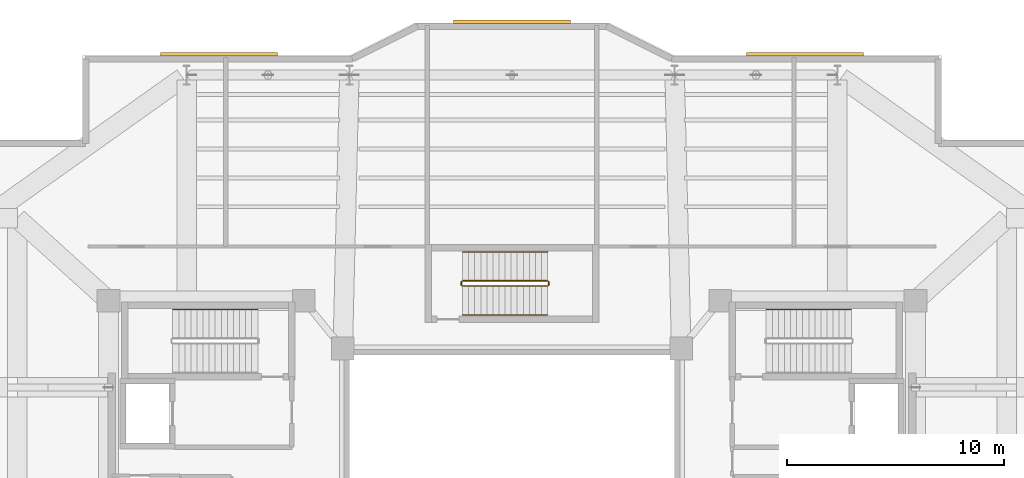
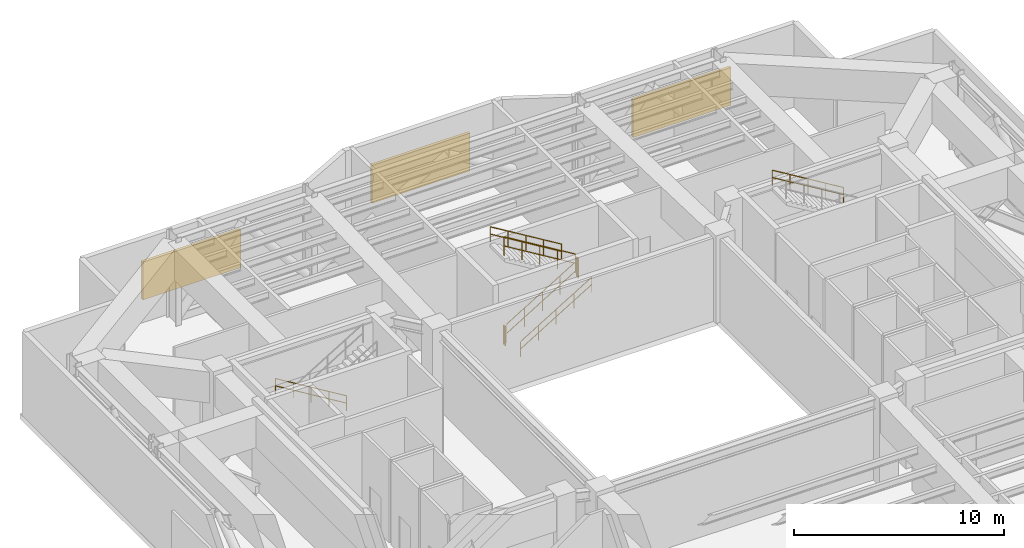
# One storey, part 13 of 13: 8 railings, 3 shading devices.
"""IFC4 building model written with IfcOpenShell, lengths in metres."""

from ifc_helpers import new_model, si_unit, direction, frame, origin, origin_2d, place, context, subcontext, project, spatial, rectangle, circle, extrude, material, layer, layer_set, type_object, element, save


model = new_model("IFC4")

# Units and contexts
model_context = context("Model", 3, precision=1e-05, world=origin(), true_north=direction((0.0, 1.0)))
body_context = subcontext(model_context, "Body", "Model", "MODEL_VIEW")
ifc_project = project(units=[si_unit("LENGTHUNIT", "METRE"), si_unit("AREAUNIT", "SQUARE_METRE"), si_unit("VOLUMEUNIT", "CUBIC_METRE"), si_unit("PLANEANGLEUNIT", "RADIAN"), si_unit("MASSUNIT", "GRAM", prefix="KILO")], contexts=[model_context])

# Site, building, storey
site_placement = place(None, origin())
site = spatial("IfcSite", under=ifc_project, at=site_placement, CompositionType="ELEMENT")
building_placement = place(site_placement, origin())
building = spatial("IfcBuilding", under=site, at=building_placement, Name="Tarnavaz Court Tower", CompositionType="ELEMENT")
storey_placement = place(building_placement, frame((0.0, 0.0, 181.800048828125)))
storey = spatial("IfcBuildingStorey", under=building, at=storey_placement, Name="L49", CompositionType="ELEMENT", Elevation=181.800048828125)

# Railings
ifc_material_1 = material(Name="Brushed Stainless Steel", Category="steel")
railing_type_1 = type_object("IfcRailingType", Name="RL-HANDRAIL-900", PredefinedType="HANDRAIL", material=ifc_material_1)
railing_1_placement = place(storey_placement, frame((-11.719970703125, 9.590087890625, 0.169921875)))
element("IfcRailing", 1, at=railing_1_placement, inside=storey, type_object=railing_type_1, Name="L49 ST-W1 stair handrail 1", PredefinedType="HANDRAIL", context=body_context, shape_type="SweptSolid", body=[
    extrude(circle(Radius=0.02392578125, at=origin_2d()), frame((0.0, 0.0, 0.8759765625), z_axis=(-0.854770645689, 0.0, 0.519005918337), x_axis=(0.0, -1.0, 0.0)), (0.0, 0.0, 1.0), 4.5859375),
    extrude(circle(Radius=0.02392578125, at=origin_2d()), frame((0.0, 0.0, 0.449951171875), z_axis=(-0.854770645689, 0.0, 0.519005918337), x_axis=(0.0, -1.0, 0.0)), (0.0, 0.0, 1.0), 4.5859375),
    extrude(circle(Radius=0.02099609375, at=origin_2d()), origin(), (0.0, 0.0, 1.0), 0.851806640625),
    extrude(circle(Radius=0.02099609375, at=origin_2d()), frame((-0.97998046875, 0.0, 0.594970703125)), (0.0, 0.0, 1.0), 0.851806640625),
    extrude(circle(Radius=0.02099609375, at=origin_2d()), frame((-1.9599609375, 0.0, 1.18994140625)), (0.0, 0.0, 1.0), 0.851806640625),
    extrude(circle(Radius=0.02099609375, at=origin_2d()), frame((-2.93994140625, 0.0, 1.78515625)), (0.0, 0.0, 1.0), 0.851806640625),
    extrude(circle(Radius=0.02099609375, at=origin_2d()), frame((-3.919921875, 0.0, 2.380126953125)), (0.0, 0.0, 1.0), 0.851806640625),
])
railing_2_placement = place(storey_placement, frame((15.639892578125, 9.590087890625, 2.719970703125)))
element("IfcRailing", 2, at=railing_2_placement, inside=storey, type_object=railing_type_1, Name="L49 ST-E1 stair handrail 2", PredefinedType="HANDRAIL", context=body_context, shape_type="SweptSolid", body=[
    extrude(circle(Radius=0.02392578125, at=origin_2d()), frame((0.0, 0.0, 0.8759765625), z_axis=(-0.854794262968, 0.0, 0.518967020143), x_axis=(0.0, -1.0, 0.0)), (0.0, 0.0, 1.0), 4.585693359375),
    extrude(circle(Radius=0.02392578125, at=origin_2d()), frame((0.0, 0.0, 0.449951171875), z_axis=(-0.854794262968, 0.0, 0.518967020143), x_axis=(0.0, -1.0, 0.0)), (0.0, 0.0, 1.0), 4.585693359375),
    extrude(circle(Radius=0.02099609375, at=origin_2d()), origin(), (0.0, 0.0, 1.0), 0.851806640625),
    extrude(circle(Radius=0.02099609375, at=origin_2d()), frame((-0.97998046875, 0.0, 0.594970703125)), (0.0, 0.0, 1.0), 0.851806640625),
    extrude(circle(Radius=0.02099609375, at=origin_2d()), frame((-1.9599609375, 0.0, 1.18994140625)), (0.0, 0.0, 1.0), 0.851806640625),
    extrude(circle(Radius=0.02099609375, at=origin_2d()), frame((-2.93994140625, 0.0, 1.784912109375)), (0.0, 0.0, 1.0), 0.851806640625),
    extrude(circle(Radius=0.02099609375, at=origin_2d()), frame((-3.919921875, 0.0, 2.3798828125)), (0.0, 0.0, 1.0), 0.851806640625),
])
railing_3_placement = place(storey_placement, frame((-2.280029296875, 9.35009765625, 0.169921875)))
element("IfcRailing", 3, at=railing_3_placement, inside=storey, type_object=railing_type_1, Name="L49 ST-N1 stair handrail 1", PredefinedType="HANDRAIL", context=body_context, shape_type="SweptSolid", body=[
    extrude(circle(Radius=0.02392578125, at=origin_2d()), frame((0.0, 0.0, 0.8759765625), z_axis=(0.854770645689, 0.0, 0.519005918337), x_axis=(0.0, 1.0, 0.0)), (0.0, 0.0, 1.0), 4.5859375),
    extrude(circle(Radius=0.02392578125, at=origin_2d()), frame((0.0, 0.0, 0.449951171875), z_axis=(0.854770645689, 0.0, 0.519005918337), x_axis=(0.0, 1.0, 0.0)), (0.0, 0.0, 1.0), 4.5859375),
    extrude(circle(Radius=0.02099609375, at=origin_2d()), origin(), (0.0, 0.0, 1.0), 0.851806640625),
    extrude(circle(Radius=0.02099609375, at=origin_2d()), frame((0.97998046875, 0.0, 0.594970703125)), (0.0, 0.0, 1.0), 0.851806640625),
    extrude(circle(Radius=0.02099609375, at=origin_2d()), frame((1.9599609375, 0.0, 1.18994140625)), (0.0, 0.0, 1.0), 0.851806640625),
    extrude(circle(Radius=0.02099609375, at=origin_2d()), frame((2.93994140625, 0.0, 1.78515625)), (0.0, 0.0, 1.0), 0.851806640625),
    extrude(circle(Radius=0.02099609375, at=origin_2d()), frame((3.919921875, 0.0, 2.380126953125)), (0.0, 0.0, 1.0), 0.851806640625),
])
railing_4_placement = place(storey_placement, frame((1.639892578125, 12.239990234375, 2.719970703125)))
element("IfcRailing", 4, at=railing_4_placement, inside=storey, type_object=railing_type_1, Name="L49 ST-N1 stair handrail 2", PredefinedType="HANDRAIL", context=body_context, shape_type="SweptSolid", body=[
    extrude(circle(Radius=0.02392578125, at=origin_2d()), frame((0.0, 0.0, 0.8759765625), z_axis=(-0.854794262968, 0.0, 0.518967020143), x_axis=(0.0, -1.0, 0.0)), (0.0, 0.0, 1.0), 4.585693359375),
    extrude(circle(Radius=0.02392578125, at=origin_2d()), frame((0.0, 0.0, 0.449951171875), z_axis=(-0.854794262968, 0.0, 0.518967020143), x_axis=(0.0, -1.0, 0.0)), (0.0, 0.0, 1.0), 4.585693359375),
    extrude(circle(Radius=0.02099609375, at=origin_2d()), origin(), (0.0, 0.0, 1.0), 0.851806640625),
    extrude(circle(Radius=0.02099609375, at=origin_2d()), frame((-0.97998046875, 0.0, 0.594970703125)), (0.0, 0.0, 1.0), 0.851806640625),
    extrude(circle(Radius=0.02099609375, at=origin_2d()), frame((-1.9599609375, 0.0, 1.18994140625)), (0.0, 0.0, 1.0), 0.851806640625),
    extrude(circle(Radius=0.02099609375, at=origin_2d()), frame((-2.93994140625, 0.0, 1.784912109375)), (0.0, 0.0, 1.0), 0.851806640625),
    extrude(circle(Radius=0.02099609375, at=origin_2d()), frame((-3.919921875, 0.0, 2.3798828125)), (0.0, 0.0, 1.0), 0.851806640625),
])
ifc_material_2 = material(Name="Galvanized Painted Tubular Steel", Category="steel")
railing_type_2 = type_object("IfcRailingType", Name="RL-STGUARD-1120", PredefinedType="GUARDRAIL", material=ifc_material_2)
railing_5_placement = place(storey_placement, frame((-2.280029296875, 10.669921875, 0.169921875)))
element("IfcRailing", 5, at=railing_5_placement, inside=storey, type_object=railing_type_2, Name="L49 ST-N1 stair guard 1", PredefinedType="GUARDRAIL", context=body_context, shape_type="SweptSolid", body=[
    extrude(circle(Radius=0.02392578125, at=origin_2d()), frame((0.0, 0.0, 1.09619140625), z_axis=(0.854770645689, 0.0, 0.519005918337), x_axis=(0.0, 1.0, 0.0)), (0.0, 0.0, 1.0), 4.5859375),
    extrude(circle(Radius=0.02392578125, at=origin_2d()), frame((0.0, 0.0, 0.56005859375), z_axis=(0.854770645689, 0.0, 0.519005918337), x_axis=(0.0, 1.0, 0.0)), (0.0, 0.0, 1.0), 4.5859375),
    extrude(circle(Radius=0.02099609375, at=origin_2d()), origin(), (0.0, 0.0, 1.0), 1.072021484375),
    extrude(circle(Radius=0.02099609375, at=origin_2d()), frame((0.97998046875, 0.0, 0.594970703125)), (0.0, 0.0, 1.0), 1.072021484375),
    extrude(circle(Radius=0.02099609375, at=origin_2d()), frame((1.9599609375, 0.0, 1.18994140625)), (0.0, 0.0, 1.0), 1.072021484375),
    extrude(circle(Radius=0.02099609375, at=origin_2d()), frame((2.93994140625, 0.0, 1.78515625)), (0.0, 0.0, 1.0), 1.072021484375),
    extrude(circle(Radius=0.02099609375, at=origin_2d()), frame((3.919921875, 0.0, 2.380126953125)), (0.0, 0.0, 1.0), 1.072021484375),
])
railing_6_placement = place(storey_placement, frame((1.68994140625, 10.719970703125, 2.550048828125)))
element("IfcRailing", 6, at=railing_6_placement, inside=storey, type_object=railing_type_2, Name="L49 ST-N1 stair guard 2", PredefinedType="GUARDRAIL", context=body_context, shape_type="SweptSolid", body=[
    extrude(circle(Radius=0.02392578125, at=origin_2d()), frame((0.0, 0.0, 1.09619140625), z_axis=(0.0, 1.0, 0.0), x_axis=(-1.0, 0.0, 0.0)), (0.0, 0.0, 1.0), 0.150146484375),
    extrude(circle(Radius=0.02392578125, at=origin_2d()), frame((0.0, 0.0, 0.56005859375), z_axis=(0.0, 1.0, 0.0), x_axis=(-1.0, 0.0, 0.0)), (0.0, 0.0, 1.0), 0.150146484375),
    extrude(circle(Radius=0.02099609375, at=origin_2d()), origin(), (0.0, 0.0, 1.0), 1.072021484375),
    extrude(circle(Radius=0.02099609375, at=origin_2d()), frame((0.0, 0.150146484375, 0.0)), (0.0, 0.0, 1.0), 1.072021484375),
])
railing_7_placement = place(storey_placement, frame((1.639892578125, 10.919921875, 2.719970703125)))
element("IfcRailing", 7, at=railing_7_placement, inside=storey, type_object=railing_type_2, Name="L49 ST-N1 stair guard 3", PredefinedType="GUARDRAIL", context=body_context, shape_type="SweptSolid", body=[
    extrude(circle(Radius=0.02392578125, at=origin_2d()), frame((0.0, 0.0, 1.09619140625), z_axis=(-0.854794262968, 0.0, 0.518967020143), x_axis=(0.0, -1.0, 0.0)), (0.0, 0.0, 1.0), 4.585693359375),
    extrude(circle(Radius=0.02392578125, at=origin_2d()), frame((0.0, 0.0, 0.56005859375), z_axis=(-0.854794262968, 0.0, 0.518967020143), x_axis=(0.0, -1.0, 0.0)), (0.0, 0.0, 1.0), 4.585693359375),
    extrude(circle(Radius=0.02099609375, at=origin_2d()), origin(), (0.0, 0.0, 1.0), 1.072021484375),
    extrude(circle(Radius=0.02099609375, at=origin_2d()), frame((-0.97998046875, 0.0, 0.594970703125)), (0.0, 0.0, 1.0), 1.072021484375),
    extrude(circle(Radius=0.02099609375, at=origin_2d()), frame((-1.9599609375, 0.0, 1.18994140625)), (0.0, 0.0, 1.0), 1.072021484375),
    extrude(circle(Radius=0.02099609375, at=origin_2d()), frame((-2.93994140625, 0.0, 1.784912109375)), (0.0, 0.0, 1.0), 1.072021484375),
    extrude(circle(Radius=0.02099609375, at=origin_2d()), frame((-3.919921875, 0.0, 2.3798828125)), (0.0, 0.0, 1.0), 1.072021484375),
])
railing_8_placement = place(storey_placement, frame((-2.330078125, 10.719970703125, 0.0)))
element("IfcRailing", 8, at=railing_8_placement, inside=storey, type_object=railing_type_2, Name="L49 ST-N1 stair guard 4", PredefinedType="GUARDRAIL", context=body_context, shape_type="SweptSolid", body=[
    extrude(circle(Radius=0.02392578125, at=origin_2d()), frame((0.0, 0.0, 1.09619140625), z_axis=(0.0, 1.0, 0.0), x_axis=(-1.0, 0.0, 0.0)), (0.0, 0.0, 1.0), 0.150146484375),
    extrude(circle(Radius=0.02392578125, at=origin_2d()), frame((0.0, 0.0, 0.56005859375), z_axis=(0.0, 1.0, 0.0), x_axis=(-1.0, 0.0, 0.0)), (0.0, 0.0, 1.0), 0.150146484375),
    extrude(circle(Radius=0.02099609375, at=origin_2d()), origin(), (0.0, 0.0, 1.0), 1.072021484375),
    extrude(circle(Radius=0.02099609375, at=origin_2d()), frame((0.0, 0.150146484375, 0.0)), (0.0, 0.0, 1.0), 1.072021484375),
])

# Shading devices
ifc_material_3 = material(Name="Anodised Aluminium 6063-T6 Acoustic Louvre", Category="aluminium")
ifc_layer = layer(ifc_material_3, 0.159912109375)
ifc_layer_set = layer_set([ifc_layer], Name="Anodised Aluminium 6063-T6 Acoustic Louvre")
shading_device_type = type_object("IfcShadingDeviceType", Name="SD-LOUV-200", PredefinedType="JALOUSIE", material=ifc_layer_set)
for number, where, z_axis, x_axis, name in (
    (9, (-13.5, 21.360107421875, 1.10009765625), (0.0, 0.0, 1.0), (1.0, 0.0, 0.0), "L49 Plant Sand-Trap Acoustic Louvre 05"),
    (10, (0.0, 22.860107421875, 1.10009765625), (0.0, 0.0, 1.0), (1.0, 0.0, 0.0), "L49 Plant Sand-Trap Acoustic Louvre 07"),
    (11, (13.5, 21.360107421875, 1.10009765625), (0.0, 0.0, 1.0), (1.0, 0.0, 0.0), "L49 Plant Sand-Trap Acoustic Louvre 09"),
):
    element("IfcShadingDevice", number, at=place(storey_placement, frame(where, z_axis=z_axis, x_axis=x_axis)), inside=storey, type_object=shading_device_type, Name=name, PredefinedType="JALOUSIE", context=body_context, shape_type="SweptSolid", body=[
        extrude(rectangle(XDim=5.39990234375, YDim=0.159912109375, at=origin_2d()), origin(), (0.0, 0.0, 1.0), 2.199951171875),
    ])

save(model, "model.ifc")
